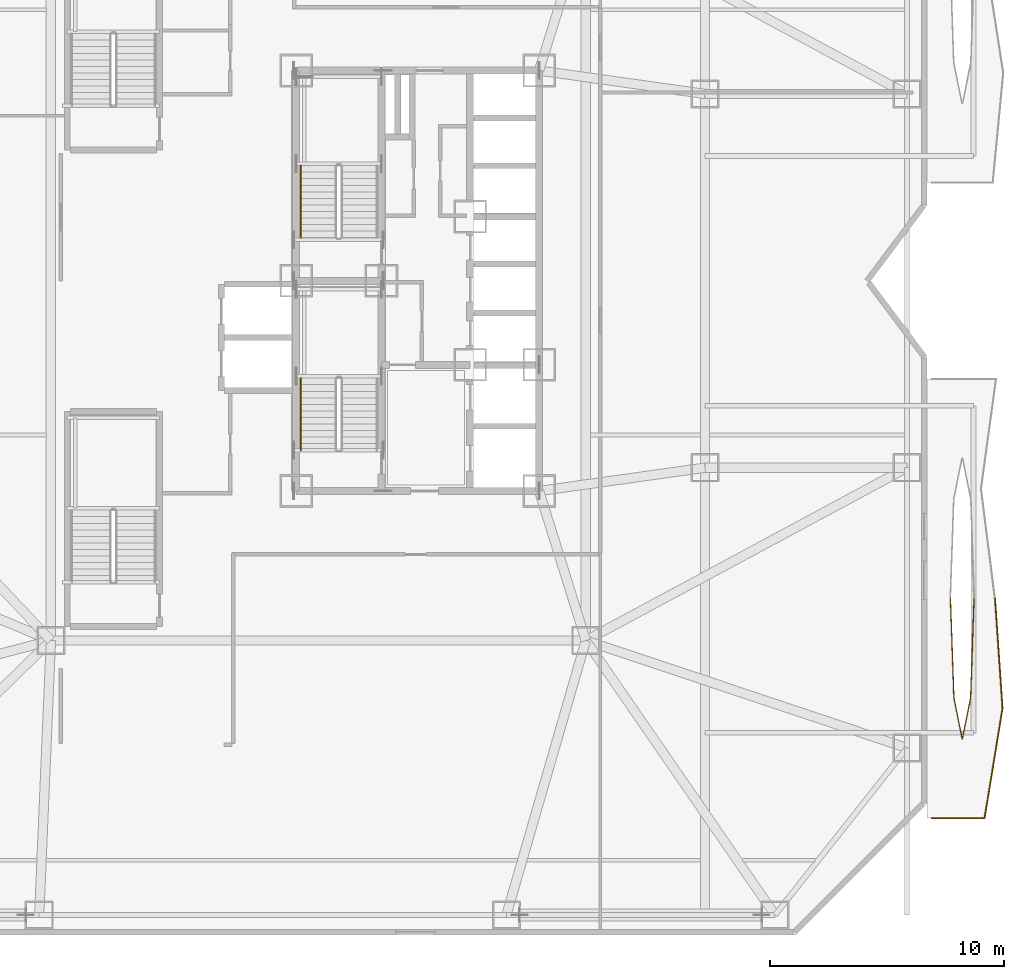
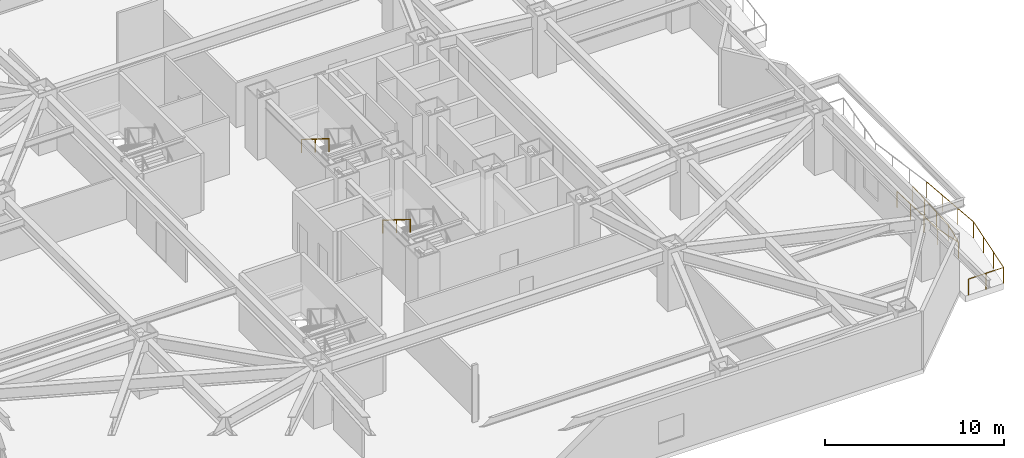
# One storey, part 20 of 24: 4 railings.
"""IFC4 building model written with IfcOpenShell, lengths in metres."""

from ifc_helpers import new_model, si_unit, direction, frame, origin, origin_2d, place, context, subcontext, project, spatial, circle, extrude, material, type_object, element, save


model = new_model("IFC4")

# Units and contexts
model_context = context("Model", 3, precision=1e-05, world=origin(), true_north=direction((0.0, 1.0)))
body_context = subcontext(model_context, "Body", "Model", "MODEL_VIEW")
ifc_project = project(units=[si_unit("LENGTHUNIT", "METRE"), si_unit("AREAUNIT", "SQUARE_METRE"), si_unit("VOLUMEUNIT", "CUBIC_METRE"), si_unit("PLANEANGLEUNIT", "RADIAN"), si_unit("MASSUNIT", "GRAM", prefix="KILO")], contexts=[model_context])

# Site, building, storey
site_placement = place(None, origin())
site = spatial("IfcSite", under=ifc_project, at=site_placement, CompositionType="ELEMENT")
building_placement = place(site_placement, origin())
building = spatial("IfcBuilding", under=site, at=building_placement, Name="Khamvora Tower", CompositionType="ELEMENT")
storey_placement = place(building_placement, frame((0.0, 0.0, 20.39990234375)))
storey = spatial("IfcBuildingStorey", under=building, at=storey_placement, Name="L04", CompositionType="ELEMENT", Elevation=20.39990234375)

# Railings
ifc_material_1 = material(Name="Stainless Steel 316 and Laminated Glass", Category="steel")
railing_type_1 = type_object("IfcRailingType", Name="RAL-GAL-1120", PredefinedType="GUARDRAIL", material=ifc_material_1)
railing_1_placement = place(storey_placement, frame((56.199951171875, 5.0, 0.0)))
element("IfcRailing", 1, at=railing_1_placement, inside=storey, type_object=railing_type_1, Name="L04 lens gallery south perimeter guardrail EL1", PredefinedType="GUARDRAIL", context=body_context, shape_type="SweptSolid", body=[
    extrude(circle(Radius=0.02392578125, at=origin_2d()), frame((0.0, 0.0, 1.09619140625), z_axis=(1.0, 0.0, 0.0), x_axis=(0.0, 1.0, 0.0)), (0.0, 0.0, 1.0), 2.27294921875),
    extrude(circle(Radius=0.02392578125, at=origin_2d()), frame((2.27294921875, 0.0, 1.09619140625), z_axis=(0.16128068087, 0.986908578328, 0.0), x_axis=(-0.986908578328, 0.16128068087, 0.0)), (0.0, 0.0, 1.0), 4.76220703125),
    extrude(circle(Radius=0.02392578125, at=origin_2d()), frame((3.041015625, 4.699951171875, 1.09619140625), z_axis=(-0.068355663621, 0.997661016203, 0.0), x_axis=(-0.997661016203, -0.068355663621, 0.0)), (0.0, 0.0, 1.0), 4.7109375),
    extrude(circle(Radius=0.02099609375, at=origin_2d()), origin(), (0.0, 0.0, 1.0), 1.072021484375),
    extrude(circle(Radius=0.02099609375, at=origin_2d()), frame((1.136474609375, 0.0, 0.0)), (0.0, 0.0, 1.0), 1.072021484375),
    extrude(circle(Radius=0.02099609375, at=origin_2d()), frame((2.27294921875, 0.0, 0.0)), (0.0, 0.0, 1.0), 1.072021484375),
    extrude(circle(Radius=0.02099609375, at=origin_2d()), frame((2.529052734375, 1.566650390625, 0.0)), (0.0, 0.0, 1.0), 1.072021484375),
    extrude(circle(Radius=0.02099609375, at=origin_2d()), frame((2.784912109375, 3.13330078125, 0.0)), (0.0, 0.0, 1.0), 1.072021484375),
    extrude(circle(Radius=0.02099609375, at=origin_2d()), frame((3.041015625, 4.699951171875, 0.0)), (0.0, 0.0, 1.0), 1.072021484375),
    extrude(circle(Radius=0.02099609375, at=origin_2d()), frame((2.93359375, 6.2666015625, 0.0)), (0.0, 0.0, 1.0), 1.072021484375),
    extrude(circle(Radius=0.02099609375, at=origin_2d()), frame((2.826416015625, 7.833251953125, 0.0)), (0.0, 0.0, 1.0), 1.072021484375),
    extrude(circle(Radius=0.02099609375, at=origin_2d()), frame((2.718994140625, 9.39990234375, 0.0)), (0.0, 0.0, 1.0), 1.072021484375),
])
railing_2_placement = place(storey_placement, frame((57.010986328125, 14.39990234375, 0.0)))
element("IfcRailing", 2, at=railing_2_placement, inside=storey, type_object=railing_type_1, Name="L04 lens gallery void guardrail EL1B", PredefinedType="GUARDRAIL", context=body_context, shape_type="SweptSolid", body=[
    extrude(circle(Radius=0.02392578125, at=origin_2d()), frame((0.0, 0.0, 1.09619140625), z_axis=(0.034758598303, -0.999395737355, 0.0), x_axis=(0.999395737355, 0.034758598303, 0.0)), (0.0, 0.0, 1.0), 4.256591796875),
    extrude(circle(Radius=0.02392578125, at=origin_2d()), frame((0.14794921875, -4.25390625, 1.09619140625), z_axis=(0.198022438185, -0.980197487232, 0.0), x_axis=(0.980197487232, 0.198022438185, 0.0)), (0.0, 0.0, 1.0), 1.797607421875),
    extrude(circle(Radius=0.02392578125, at=origin_2d()), frame((0.50390625, -6.015869140625, 1.09619140625), z_axis=(0.198152924969, 0.98017111686, 0.0), x_axis=(-0.98017111686, 0.198152924969, 0.0)), (0.0, 0.0, 1.0), 1.797607421875),
    extrude(circle(Radius=0.02392578125, at=origin_2d()), frame((0.860107421875, -4.25390625, 1.09619140625), z_axis=(0.034758598303, 0.999395737355, 0.0), x_axis=(-0.999395737355, 0.034758598303, 0.0)), (0.0, 0.0, 1.0), 4.256591796875),
    extrude(circle(Radius=0.02099609375, at=origin_2d()), origin(), (0.0, 0.0, 1.0), 1.072021484375),
    extrude(circle(Radius=0.02099609375, at=origin_2d()), frame((0.04931640625, -1.41796875, 0.0)), (0.0, 0.0, 1.0), 1.072021484375),
    extrude(circle(Radius=0.02099609375, at=origin_2d()), frame((0.0986328125, -2.8359375, 0.0)), (0.0, 0.0, 1.0), 1.072021484375),
    extrude(circle(Radius=0.02099609375, at=origin_2d()), frame((0.14794921875, -4.25390625, 0.0)), (0.0, 0.0, 1.0), 1.072021484375),
    extrude(circle(Radius=0.02099609375, at=origin_2d()), frame((0.50390625, -6.015869140625, 0.0)), (0.0, 0.0, 1.0), 1.072021484375),
    extrude(circle(Radius=0.02099609375, at=origin_2d()), frame((0.860107421875, -4.25390625, 0.0)), (0.0, 0.0, 1.0), 1.072021484375),
    extrude(circle(Radius=0.02099609375, at=origin_2d()), frame((0.909423828125, -2.8359375, 0.0)), (0.0, 0.0, 1.0), 1.072021484375),
    extrude(circle(Radius=0.02099609375, at=origin_2d()), frame((0.958740234375, -1.41796875, 0.0)), (0.0, 0.0, 1.0), 1.072021484375),
    extrude(circle(Radius=0.02099609375, at=origin_2d()), frame((1.008056640625, 0.0, 0.0)), (0.0, 0.0, 1.0), 1.072021484375),
])
ifc_material_2 = material(Name="Brushed Stainless Steel 316", Category="steel")
railing_type_2 = type_object("IfcRailingType", Name="RAL-HDR-920", PredefinedType="HANDRAIL", material=ifc_material_2)
railing_3_placement = place(storey_placement, frame((29.199951171875, 23.830078125, 2.275146484375)))
element("IfcRailing", 3, at=railing_3_placement, inside=storey, type_object=railing_type_2, Name="L04 ST-01 stair handrail 2", PredefinedType="HANDRAIL", context=body_context, shape_type="SweptSolid", body=[
    extrude(circle(Radius=0.02392578125, at=origin_2d()), frame((0.0, 0.0, 0.8759765625), z_axis=(0.0, -0.847998304005, 0.529998940003), x_axis=(1.0, 0.0, 0.0)), (0.0, 0.0, 1.0), 3.632080078125),
    extrude(circle(Radius=0.02099609375, at=origin_2d()), origin(), (0.0, 0.0, 1.0), 0.851806640625),
    extrude(circle(Radius=0.02099609375, at=origin_2d()), frame((0.0, -1.5400390625, 0.96240234375)), (0.0, 0.0, 1.0), 0.851806640625),
    extrude(circle(Radius=0.02099609375, at=origin_2d()), frame((0.0, -3.080078125, 1.925048828125)), (0.0, 0.0, 1.0), 0.851806640625),
])
railing_4_placement = place(storey_placement, frame((29.199951171875, 32.929931640625, 2.275146484375)))
element("IfcRailing", 4, at=railing_4_placement, inside=storey, type_object=railing_type_2, Name="L04 ST-02 stair handrail 2", PredefinedType="HANDRAIL", context=body_context, shape_type="SweptSolid", body=[
    extrude(circle(Radius=0.02392578125, at=origin_2d()), frame((0.0, 0.0, 0.8759765625), z_axis=(0.0, -0.847979421464, 0.530029150871), x_axis=(1.0, 0.0, 0.0)), (0.0, 0.0, 1.0), 3.632080078125),
    extrude(circle(Radius=0.02099609375, at=origin_2d()), origin(), (0.0, 0.0, 1.0), 0.851806640625),
    extrude(circle(Radius=0.02099609375, at=origin_2d()), frame((0.0, -1.5400390625, 0.96240234375)), (0.0, 0.0, 1.0), 0.851806640625),
    extrude(circle(Radius=0.02099609375, at=origin_2d()), frame((0.0, -3.079833984375, 1.925048828125)), (0.0, 0.0, 1.0), 0.851806640625),
])

save(model, "model.ifc")
